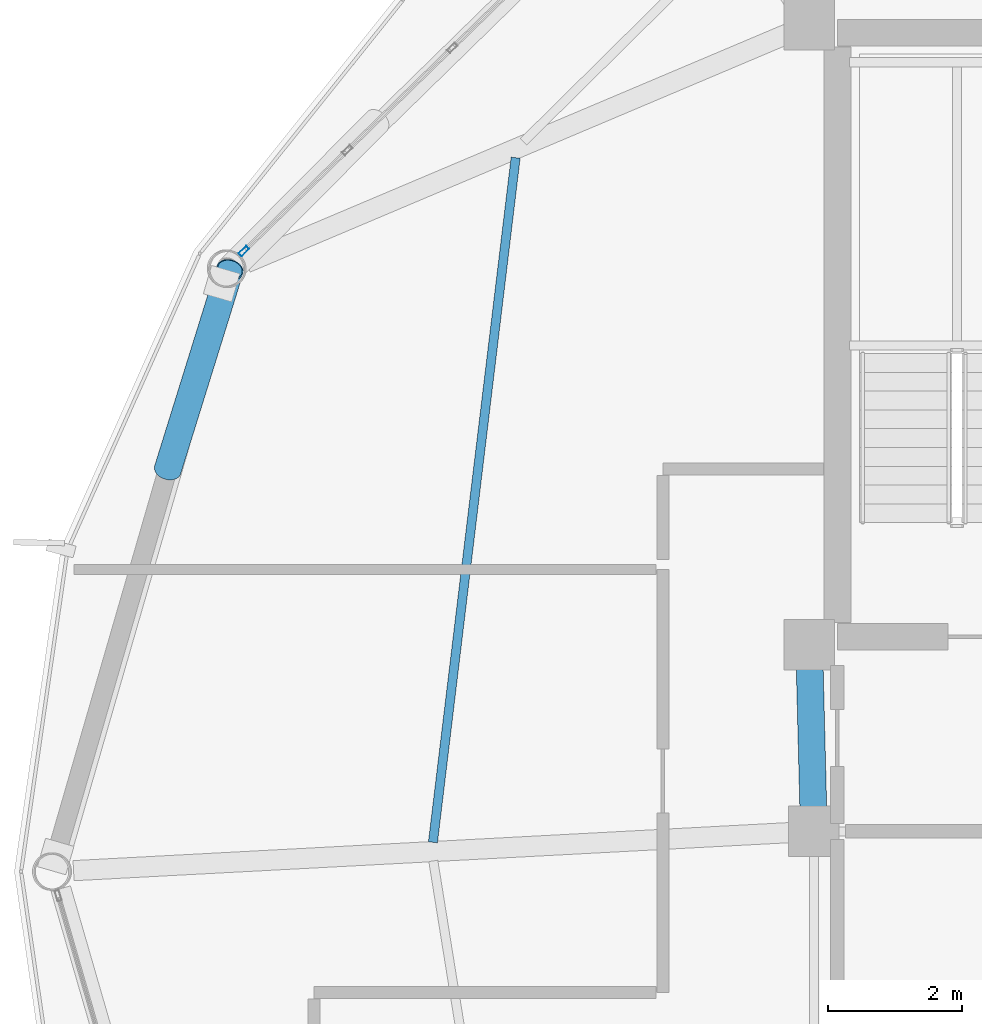
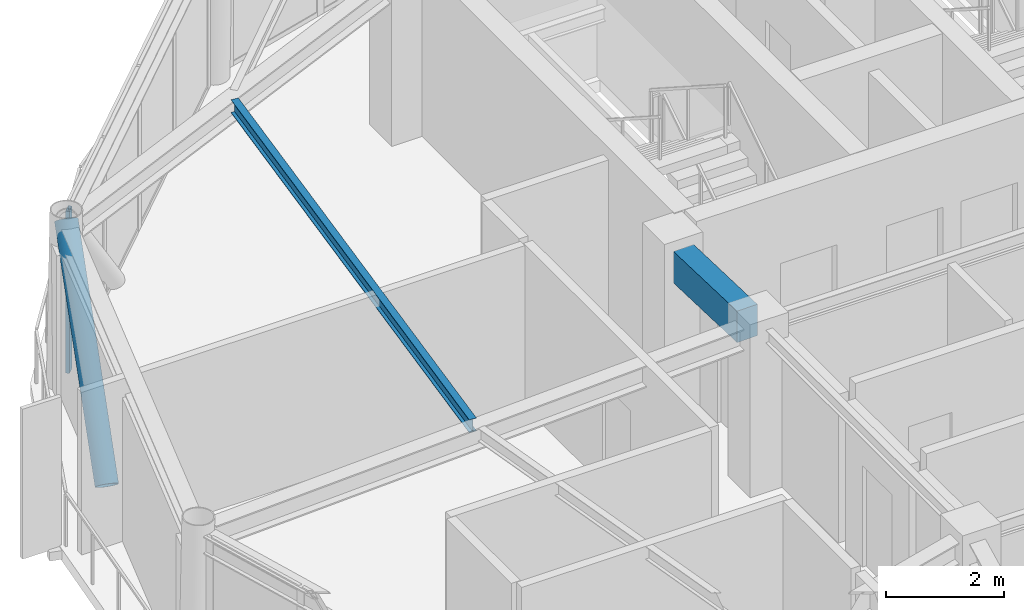
# One storey, part 12 of 27: 2 beams, 2 members, 1 element without a shape of its own.
"""IFC4 building model written with IfcOpenShell, lengths in metres."""

from ifc_helpers import new_model, si_unit, direction, frame, origin, origin_2d, place, context, subcontext, project, spatial, rectangle, hollow_rectangle, hollow_circle, i_section, extrude, material, layer, layer_set, material_profile, profile_set, type_object, element, aggregate, save


model = new_model("IFC4")

# Units and contexts
model_context = context("Model", 3, precision=1e-05, world=origin(), true_north=direction((0.0, 1.0)))
body_context = subcontext(model_context, "Body", "Model", "MODEL_VIEW")
ifc_project = project(units=[si_unit("LENGTHUNIT", "METRE"), si_unit("AREAUNIT", "SQUARE_METRE"), si_unit("VOLUMEUNIT", "CUBIC_METRE"), si_unit("PLANEANGLEUNIT", "RADIAN"), si_unit("MASSUNIT", "GRAM", prefix="KILO")], contexts=[model_context])

# Site, building, storey
site_placement = place(None, origin())
site = spatial("IfcSite", under=ifc_project, at=site_placement, CompositionType="ELEMENT")
building_placement = place(site_placement, origin())
building = spatial("IfcBuilding", under=site, at=building_placement, Name="Varnakorn Sky Granary", CompositionType="ELEMENT")
storey_placement = place(building_placement, frame((0.0, 0.0, 245.39990234375)))
storey = spatial("IfcBuildingStorey", under=building, at=storey_placement, Name="L62", CompositionType="ELEMENT", Elevation=245.39990234375)

# Beams
ifc_material_1 = material(Name="Concrete C50/60", Category="concrete")
ifc_material_profile_1 = material_profile(ifc_material_1, rectangle(XDim=0.39990234375, YDim=0.64990234375, at=origin_2d()), Name="RC 400x650")
ifc_profile_set_1 = profile_set([ifc_material_profile_1], Name="Concrete C50/60")
beam_type_1 = type_object("IfcBeamType", Name="BM-LIN-650", PredefinedType="LINTEL", material=ifc_profile_set_1)
beam_1_placement = place(storey_placement, frame((-2.4111328125, 3.025146484375, 3.03515625), z_axis=(0.025227817192, -0.999681727971, 0.0), x_axis=(0.999681727971, 0.025227817192, 0.0)))
element("IfcBeam", 1, at=beam_1_placement, inside=storey, type_object=beam_type_1, Name="Core Spine Framing Beam 1 L62", PredefinedType="LINTEL", context=body_context, shape_type="SweptSolid", body=[
    extrude(rectangle(XDim=0.39990234375, YDim=0.64990234375, at=origin_2d()), origin(), (0.0, 0.0, 1.0), 2.071044921875),
])
ifc_material_2 = material(Name="Steel S355JR", Category="steel")
ifc_material_profile_2 = material_profile(ifc_material_2, i_section(OverallWidth=0.135009765625, OverallDepth=0.27001953125, WebThickness=0.006591796875, FlangeThickness=0.01025390625, at=origin_2d()), Name="IPE 270")
ifc_profile_set_2 = profile_set([ifc_material_profile_2], Name="Steel S355JR")
beam_type_2 = type_object("IfcBeamType", Name="BM-SEC-Z5", PredefinedType="BEAM", material=ifc_profile_set_2)
beam_2_placement = place(storey_placement, frame((-6.79345703125, 10.637939453125, 3.22509765625), z_axis=(-0.119936846458, -0.992781523227, 0.0), x_axis=(0.992781523227, -0.119936846458, 0.0)))
element("IfcBeam", 2, at=beam_2_placement, inside=storey, type_object=beam_type_2, Name="Secondary Floor Chord Beam MSB06 L62", PredefinedType="BEAM", context=body_context, shape_type="SweptSolid", body=[
    extrude(i_section(OverallWidth=0.135009765625, OverallDepth=0.27001953125, WebThickness=0.006591796875, FlangeThickness=0.01025390625, at=origin_2d()), origin(), (0.0, 0.0, 1.0), 10.275634765625),
])

# Curtain wall, member
ifc_material_3 = material(Name="Anodised Bronze Aluminium Alloy 6063-T6", Category="aluminium")
ifc_layer = layer(ifc_material_3, 0.159912109375, Name="Anodised Bronze Aluminium Alloy 6063-T6")
ifc_layer_set = layer_set([ifc_layer], Name="Anodised Bronze Aluminium Alloy 6063-T6")
curtain_wall_type = type_object("IfcCurtainWallType", Name="CW-OFF-1", PredefinedType="USERDEFINED", material=ifc_layer_set)
curtain_wall_placement = place(storey_placement, origin())
curtain_wall = element("IfcCurtainWall", 3, at=curtain_wall_placement, inside=storey, type_object=curtain_wall_type, Name="Unitised Curtain Wall CW6 CW-L62-B05", ObjectType="CURTAIN WALL", PredefinedType="USERDEFINED")
ifc_material_profile_3 = material_profile(ifc_material_3, hollow_rectangle(XDim=0.06494140625, YDim=0.159912109375, WallThickness=0.00341796875, at=origin_2d()), Name="ALU MULL 65x160")
ifc_profile_set_3 = profile_set([ifc_material_profile_3], Name="Anodised Bronze Aluminium Alloy 6063-T6")
member_type_1 = type_object("IfcMemberType", Name="CW-OFF-1-MULL", PredefinedType="MULLION", material=ifc_profile_set_3)
member_1_placement = place(storey_placement, frame((-10.8427734375, 9.2451171875, 0.0), z_axis=(0.0, 0.0, 1.0), x_axis=(-0.698180615076, 0.715921663823, 0.0)))
member_1 = element("IfcMember", 4, at=member_1_placement, type_object=member_type_1, Name="CW6 mullion 1", PredefinedType="MULLION", context=body_context, shape_type="SweptSolid", body=[
    extrude(hollow_rectangle(XDim=0.06494140625, YDim=0.159912109375, WallThickness=0.00341796875, at=origin_2d()), origin(), (0.0, 0.0, 1.0), 3.360107421875),
])
aggregate(curtain_wall, [member_1])

# Member
ifc_material_4 = material(Name="Steel S460M", Category="steel")
ifc_material_profile_4 = material_profile(ifc_material_4, hollow_circle(Radius=0.203125, WallThickness=0.01611328125, at=origin_2d()), Name="CHS 406.4x16")
ifc_profile_set_4 = profile_set([ifc_material_profile_4], Name="Steel S460M")
member_type_2 = type_object("IfcMemberType", Name="MB-DIAG-T4", PredefinedType="BRACE", material=ifc_profile_set_4)
member_2_placement = place(storey_placement, frame((-11.97705078125, 5.990234375, 0.0), z_axis=(0.20212826746, 0.649675182108, 0.732848088792), x_axis=(-0.954853816416, 0.29707606648, 0.0)))
element("IfcMember", 5, at=member_2_placement, inside=storey, type_object=member_type_2, Name="Perimeter CHS Diagrid Brace DG06 L62", PredefinedType="BRACE", context=body_context, shape_type="SweptSolid", body=[
    extrude(hollow_circle(Radius=0.203125, WallThickness=0.01611328125, at=origin_2d()), origin(), (0.0, 0.0, 1.0), 4.5849609375),
])

save(model, "model.ifc")
